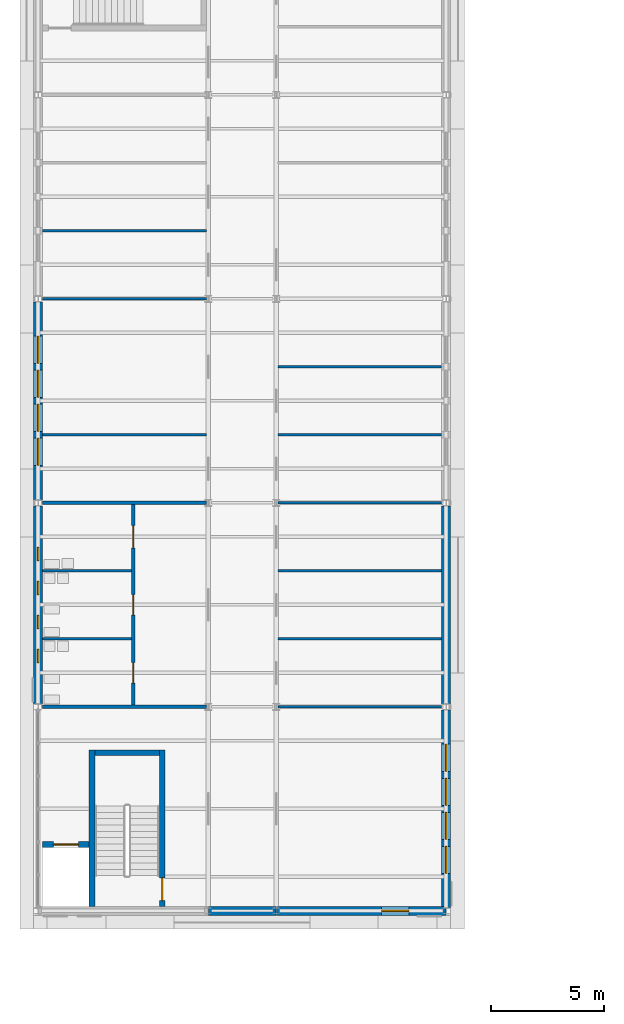
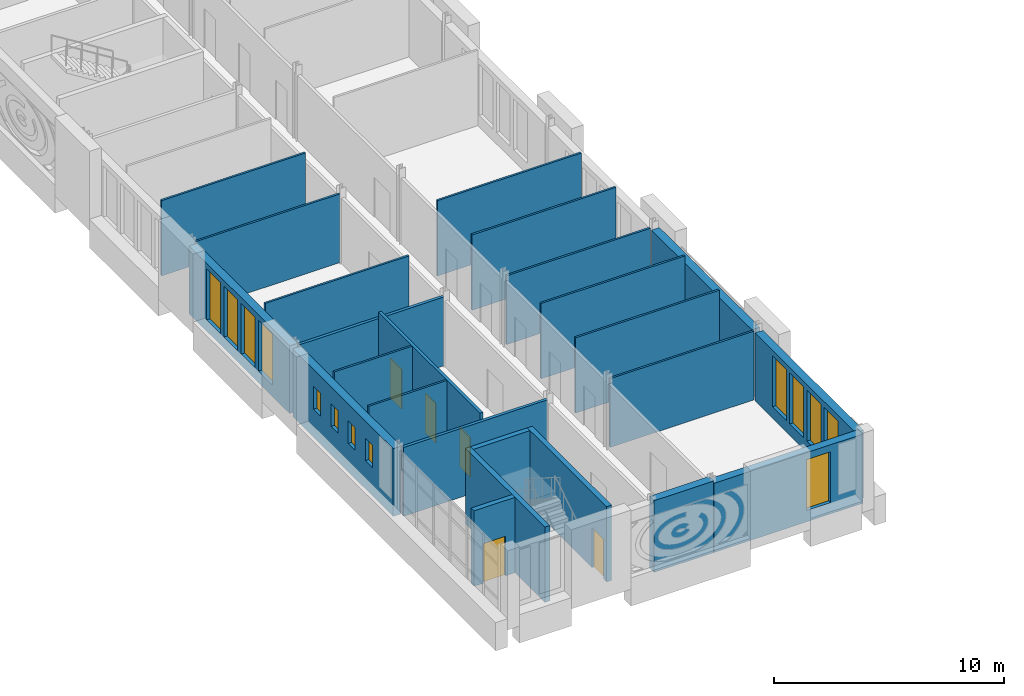
# One storey, part 99 of 154: 24 walls, 13 windows, 5 doors, 18 openings.
"""IFC4 building model written with IfcOpenShell, lengths in metres."""

from ifc_helpers import new_model, si_unit, direction, frame, frame_2d, origin, place, context, subcontext, project, spatial, rectangle, extrude, material, layer, layer_set, type_object, element, fill, save


model = new_model("IFC4")

# Units and contexts
model_context = context("Model", 3, precision=1e-05, world=origin(), true_north=direction((0.0, 1.0)))
body_context = subcontext(model_context, "Body", "Model", "MODEL_VIEW")
ifc_project = project(units=[si_unit("LENGTHUNIT", "METRE"), si_unit("AREAUNIT", "SQUARE_METRE"), si_unit("VOLUMEUNIT", "CUBIC_METRE"), si_unit("PLANEANGLEUNIT", "RADIAN"), si_unit("MASSUNIT", "GRAM", prefix="KILO")], contexts=[model_context])

# Site, building, storey
site_placement = place(None, origin())
site = spatial("IfcSite", under=ifc_project, at=site_placement, CompositionType="ELEMENT")
building_placement = place(site_placement, origin())
building = spatial("IfcBuilding", under=site, at=building_placement, Name="Golden Quay Civic Hall", CompositionType="ELEMENT")
storey_placement = place(building_placement, frame((0.0, 0.0, 14.39990234375)))
storey = spatial("IfcBuildingStorey", under=building, at=storey_placement, Name="L03", CompositionType="ELEMENT", Elevation=14.39990234375)

# Wall
ifc_material_1 = material(Name="Concrete C40/50", Category="concrete")
ifc_layer_1 = layer(ifc_material_1, 0.25)
ifc_layer_set_1 = layer_set([ifc_layer_1], Name="Concrete core wall 250, Concrete C40/50")
wall_type_1 = type_object("IfcWallType", Name="Concrete core wall 250", PredefinedType="SHEAR", material=ifc_layer_set_1)
wall_1_placement = place(storey_placement, frame((2.375, -8.800048828125, 0.0), z_axis=(0.0, 0.0, 1.0), x_axis=(0.0, 1.0, 0.0)))
element("IfcWall", 1, at=wall_1_placement, inside=storey, type_object=wall_type_1, Name="Core wall WO-S-W1", PredefinedType="SHEAR", context=body_context, shape_type="SweptSolid", body=[
    extrude(rectangle(XDim=6.900146484375, YDim=0.25, at=frame_2d((3.4501953125, 0.0))), origin(), (0.0, 0.0, 1.0), 4.0),
])

# Wall, opening, door
wall_2_placement = place(storey_placement, frame((5.47509765625, -8.800048828125, 0.0), z_axis=(0.0, 0.0, 1.0), x_axis=(0.0, 1.0, 0.0)))
wall_2 = element("IfcWall", 2, at=wall_2_placement, inside=storey, type_object=wall_type_1, Name="Core wall WO-S-W2", PredefinedType="SHEAR", context=body_context, shape_type="SweptSolid", body=[
    extrude(rectangle(XDim=6.900146484375, YDim=0.25, at=frame_2d((3.4501953125, 0.0))), origin(), (0.0, 0.0, 1.0), 4.0),
])
opening_1_placement = place(wall_2_placement, frame((0.25, 0.0, 0.0)))
opening_1 = element("IfcOpeningElement", 3, at=opening_1_placement, cuts=wall_2, Name="Opening L03-D037", PredefinedType="OPENING", context=body_context, shape_type="SweptSolid", body=[
    extrude(rectangle(XDim=1.0, YDim=2.10009765625, at=frame_2d((0.5, 1.050048828125))), frame((0.0, 0.135009765625, 0.0), z_axis=(0.0, -1.0, 0.0), x_axis=(1.0, 0.0, 0.0)), (0.0, 0.0, 1.0), 0.27001953125),
])
ifc_material_2 = material(Name="Steel", Category="steel")
door_type_1 = type_object("IfcDoorType", Name="Steel fire door FD60 1000 x 2100", OperationType="SINGLE_SWING_LEFT", PredefinedType="DOOR", material=ifc_material_2)
door_1_placement = place(opening_1_placement, origin())
door_1 = element("IfcDoor", 4, at=door_1_placement, inside=storey, type_object=door_type_1, Name="Door L03-D037", OperationType="SINGLE_SWING_LEFT", OverallHeight=2.10009765625, OverallWidth=1.0, PredefinedType="DOOR", context=body_context, shape_type="SweptSolid", body=[
    extrude(rectangle(XDim=1.0, YDim=2.10009765625, at=frame_2d((0.5, 1.050048828125))), frame((0.0, 0.02490234375, 0.0), z_axis=(0.0, -1.0, 0.0), x_axis=(1.0, 0.0, 0.0)), (0.0, 0.0, 1.0), 0.050048828125),
])
fill(opening_1, door_1)

# Wall
wall_3_placement = place(storey_placement, frame((2.5, -2.02490234375, 0.0), z_axis=(0.0, 0.0, 1.0), x_axis=(1.0, 0.0, 0.0)))
element("IfcWall", 5, at=wall_3_placement, inside=storey, type_object=wall_type_1, Name="Core wall WO-S-W3", PredefinedType="SHEAR", context=body_context, shape_type="SweptSolid", body=[
    extrude(rectangle(XDim=2.85009765625, YDim=0.25, at=frame_2d((1.425048828125, 0.0))), origin(), (0.0, 0.0, 1.0), 4.0),
])

# Wall, opening, door
wall_4_placement = place(storey_placement, frame((0.199951171875, -6.074951171875, 0.0), z_axis=(0.0, 0.0, 1.0), x_axis=(1.0, 0.0, 0.0)))
wall_4 = element("IfcWall", 6, at=wall_4_placement, inside=storey, type_object=wall_type_1, Name="Core wall WO-S-W4", PredefinedType="SHEAR", context=body_context, shape_type="SweptSolid", body=[
    extrude(rectangle(XDim=2.050048828125, YDim=0.25, at=frame_2d((1.02490234375, 0.0))), origin(), (0.0, 0.0, 1.0), 4.0),
])
opening_2_placement = place(wall_4_placement, frame((0.47509765625, 0.0, 0.0)))
opening_2 = element("IfcOpeningElement", 7, at=opening_2_placement, cuts=wall_4, Name="Opening L03-D053", PredefinedType="OPENING", context=body_context, shape_type="SweptSolid", body=[
    extrude(rectangle(XDim=1.10009765625, YDim=2.10009765625, at=frame_2d((0.550048828125, 1.050048828125))), frame((0.0, 0.135009765625, 0.0), z_axis=(0.0, -1.0, 0.0), x_axis=(1.0, 0.0, 0.0)), (0.0, 0.0, 1.0), 0.27001953125),
])
ifc_material_3 = material(Name="Steel", Category="steel")
door_type_2 = type_object("IfcDoorType", Name="Lift landing door 1100 x 2100", OperationType="SLIDING_TO_LEFT", PredefinedType="DOOR", material=ifc_material_3)
door_2_placement = place(opening_2_placement, origin())
door_2 = element("IfcDoor", 8, at=door_2_placement, inside=storey, type_object=door_type_2, Name="Lift landing door L03-D053 WO-S", OperationType="SLIDING_TO_LEFT", OverallHeight=2.10009765625, OverallWidth=1.10009765625, PredefinedType="DOOR", context=body_context, shape_type="SweptSolid", body=[
    extrude(rectangle(XDim=1.10009765625, YDim=2.10009765625, at=frame_2d((0.550048828125, 1.050048828125))), frame((0.0, 0.02490234375, 0.0), z_axis=(0.0, -1.0, 0.0), x_axis=(1.0, 0.0, 0.0)), (0.0, 0.0, 1.0), 0.050048828125),
])
fill(opening_2, door_2)

# Walls
ifc_material_4 = material(Name="Plasterboard on steel studs", Category="steel")
ifc_layer_2 = layer(ifc_material_4, 0.10009765625)
ifc_layer_set_2 = layer_set([ifc_layer_2], Name="Partition 100 stud")
wall_type_2 = type_object("IfcWallType", Name="Partition 100 stud", PredefinedType="PARTITIONING", material=ifc_layer_set_2)
wall_5_placement = place(storey_placement, frame((0.199951171875, 12.0, 0.0), z_axis=(0.0, 0.0, 1.0), x_axis=(1.0, 0.0, 0.0)))
element("IfcWall", 9, at=wall_5_placement, inside=storey, type_object=wall_type_2, Name="Partition L03-001", PredefinedType="PARTITIONING", context=body_context, shape_type="SweptSolid", body=[
    extrude(rectangle(XDim=7.22509765625, YDim=0.10009765625, at=frame_2d((3.612548828125, 0.0))), origin(), (0.0, 0.0, 1.0), 4.0),
])
wall_6_placement = place(storey_placement, frame((0.199951171875, 18.0, 0.0), z_axis=(0.0, 0.0, 1.0), x_axis=(1.0, 0.0, 0.0)))
element("IfcWall", 10, at=wall_6_placement, inside=storey, type_object=wall_type_2, Name="Partition L03-002", PredefinedType="PARTITIONING", context=body_context, shape_type="SweptSolid", body=[
    extrude(rectangle(XDim=7.22509765625, YDim=0.10009765625, at=frame_2d((3.612548828125, 0.0))), origin(), (0.0, 0.0, 1.0), 3.650146484375),
])
wall_7_placement = place(storey_placement, frame((0.199951171875, 21.0, 0.0), z_axis=(0.0, 0.0, 1.0), x_axis=(1.0, 0.0, 0.0)))
element("IfcWall", 11, at=wall_7_placement, inside=storey, type_object=wall_type_2, Name="Partition L03-003", PredefinedType="PARTITIONING", context=body_context, shape_type="SweptSolid", body=[
    extrude(rectangle(XDim=7.22509765625, YDim=0.10009765625, at=frame_2d((3.612548828125, 0.0))), origin(), (0.0, 0.0, 1.0), 4.0),
])
wall_8_placement = place(storey_placement, frame((10.574951171875, 0.0, 0.0), z_axis=(0.0, 0.0, 1.0), x_axis=(1.0, 0.0, 0.0)))
element("IfcWall", 12, at=wall_8_placement, inside=storey, type_object=wall_type_2, Name="Partition L03-012", PredefinedType="PARTITIONING", context=body_context, shape_type="SweptSolid", body=[
    extrude(rectangle(XDim=7.22509765625, YDim=0.10009765625, at=frame_2d((3.612548828125, 0.0))), origin(), (0.0, 0.0, 1.0), 3.650146484375),
])
for number, where, z_axis, x_axis, name in (
    (13, (10.574951171875, 3.0, 0.0), (0.0, 0.0, 1.0), (1.0, 0.0, 0.0), "Partition L03-013"),
    (14, (10.574951171875, 6.0, 0.0), (0.0, 0.0, 1.0), (1.0, 0.0, 0.0), "Partition L03-014"),
):
    element("IfcWall", number, at=place(storey_placement, frame(where, z_axis=z_axis, x_axis=x_axis)), inside=storey, type_object=wall_type_2, Name=name, PredefinedType="PARTITIONING", context=body_context, shape_type="SweptSolid", body=[
        extrude(rectangle(XDim=7.22509765625, YDim=0.10009765625, at=frame_2d((3.612548828125, 0.0))), origin(), (0.0, 0.0, 1.0), 4.0),
    ])
wall_9_placement = place(storey_placement, frame((10.574951171875, 9.0, 0.0), z_axis=(0.0, 0.0, 1.0), x_axis=(1.0, 0.0, 0.0)))
element("IfcWall", 15, at=wall_9_placement, inside=storey, type_object=wall_type_2, Name="Partition L03-015", PredefinedType="PARTITIONING", context=body_context, shape_type="SweptSolid", body=[
    extrude(rectangle(XDim=7.22509765625, YDim=0.10009765625, at=frame_2d((3.612548828125, 0.0))), origin(), (0.0, 0.0, 1.0), 3.650146484375),
])
for number, where, z_axis, x_axis, name in (
    (16, (10.574951171875, 12.0, 0.0), (0.0, 0.0, 1.0), (1.0, 0.0, 0.0), "Partition L03-016"),
    (17, (10.574951171875, 15.0, 0.0), (0.0, 0.0, 1.0), (1.0, 0.0, 0.0), "Partition L03-017"),
):
    element("IfcWall", number, at=place(storey_placement, frame(where, z_axis=z_axis, x_axis=x_axis)), inside=storey, type_object=wall_type_2, Name=name, PredefinedType="PARTITIONING", context=body_context, shape_type="SweptSolid", body=[
        extrude(rectangle(XDim=7.22509765625, YDim=0.10009765625, at=frame_2d((3.612548828125, 0.0))), origin(), (0.0, 0.0, 1.0), 4.0),
    ])
for number, where, z_axis, x_axis, name in (
    (18, (0.199951171875, 3.0, 0.0), (0.0, 0.0, 1.0), (1.0, 0.0, 0.0), "Partition L03-040"),
    (19, (0.199951171875, 6.0, 0.0), (0.0, 0.0, 1.0), (1.0, 0.0, 0.0), "Partition L03-041"),
):
    element("IfcWall", number, at=place(storey_placement, frame(where, z_axis=z_axis, x_axis=x_axis)), inside=storey, type_object=wall_type_2, Name=name, PredefinedType="PARTITIONING", context=body_context, shape_type="SweptSolid", body=[
        extrude(rectangle(XDim=3.925048828125, YDim=0.10009765625, at=frame_2d((1.96240234375, 0.0))), origin(), (0.0, 0.0, 1.0), 4.0),
    ])
ifc_material_5 = material(Name="Plasterboard on steel studs", Category="steel")
ifc_layer_3 = layer(ifc_material_5, 0.14990234375)
ifc_layer_set_3 = layer_set([ifc_layer_3], Name="Partition 150 stud fire EI 60")
wall_type_3 = type_object("IfcWallType", Name="Partition 150 stud fire EI 60", PredefinedType="PARTITIONING", material=ifc_layer_set_3)
for number, where, z_axis, x_axis, name in (
    (20, (0.199951171875, 9.0, 0.0), (0.0, 0.0, 1.0), (1.0, 0.0, 0.0), "Partition L03-000"),
    (21, (0.199951171875, 0.0, 0.0), (0.0, 0.0, 1.0), (1.0, 0.0, 0.0), "Partition L03-029"),
):
    element("IfcWall", number, at=place(storey_placement, frame(where, z_axis=z_axis, x_axis=x_axis)), inside=storey, type_object=wall_type_3, Name=name, PredefinedType="PARTITIONING", context=body_context, shape_type="SweptSolid", body=[
        extrude(rectangle(XDim=7.22509765625, YDim=0.14990234375, at=frame_2d((3.612548828125, 0.0))), origin(), (0.0, 0.0, 1.0), 3.650146484375),
    ])

# Wall, openings, doors
wall_10_placement = place(storey_placement, frame((4.199951171875, 0.074951171875, 0.0), z_axis=(0.0, 0.0, 1.0), x_axis=(0.0, 1.0, 0.0)))
wall_10 = element("IfcWall", 22, at=wall_10_placement, inside=storey, type_object=wall_type_3, Name="Partition L03-039", PredefinedType="PARTITIONING", context=body_context, shape_type="SweptSolid", body=[
    extrude(rectangle(XDim=8.85009765625, YDim=0.14990234375, at=frame_2d((4.425048828125, 0.0))), origin(), (0.0, 0.0, 1.0), 4.0),
])
opening_3_placement = place(wall_10_placement, frame((0.97509765625, 0.0, 0.0)))
opening_3 = element("IfcOpeningElement", 23, at=opening_3_placement, cuts=wall_10, Name="Opening L03-D034", PredefinedType="OPENING", context=body_context, shape_type="SweptSolid", body=[
    extrude(rectangle(XDim=0.89990234375, YDim=2.10009765625, at=frame_2d((0.449951171875, 1.050048828125))), frame((0.0, 0.0849609375, 0.0), z_axis=(0.0, -1.0, 0.0), x_axis=(1.0, 0.0, 0.0)), (0.0, 0.0, 1.0), 0.169921875),
])
opening_4_placement = place(wall_10_placement, frame((3.97509765625, 0.0, 0.0)))
opening_4 = element("IfcOpeningElement", 24, at=opening_4_placement, cuts=wall_10, Name="Opening L03-D035", PredefinedType="OPENING", context=body_context, shape_type="SweptSolid", body=[
    extrude(rectangle(XDim=0.89990234375, YDim=2.10009765625, at=frame_2d((0.449951171875, 1.050048828125))), frame((0.0, 0.0849609375, 0.0), z_axis=(0.0, -1.0, 0.0), x_axis=(1.0, 0.0, 0.0)), (0.0, 0.0, 1.0), 0.169921875),
])
opening_5_placement = place(wall_10_placement, frame((6.925048828125, 0.0, 0.0)))
opening_5 = element("IfcOpeningElement", 25, at=opening_5_placement, cuts=wall_10, Name="Opening L03-D036", PredefinedType="OPENING", context=body_context, shape_type="SweptSolid", body=[
    extrude(rectangle(XDim=1.0, YDim=2.10009765625, at=frame_2d((0.5, 1.050048828125))), frame((0.0, 0.0849609375, 0.0), z_axis=(0.0, -1.0, 0.0), x_axis=(1.0, 0.0, 0.0)), (0.0, 0.0, 1.0), 0.169921875),
])
ifc_material_6 = material(Name="Timber", Category="wood")
door_type_3 = type_object("IfcDoorType", Name="Timber door 1000 x 2100", OperationType="SINGLE_SWING_LEFT", PredefinedType="DOOR", material=ifc_material_6)
door_3_placement = place(opening_5_placement, origin())
door_3 = element("IfcDoor", 26, at=door_3_placement, inside=storey, type_object=door_type_3, Name="Door L03-D036", OperationType="SINGLE_SWING_LEFT", OverallHeight=2.10009765625, OverallWidth=1.0, PredefinedType="DOOR", context=body_context, shape_type="SweptSolid", body=[
    extrude(rectangle(XDim=1.0, YDim=2.10009765625, at=frame_2d((0.5, 1.050048828125))), frame((0.0, 0.02490234375, 0.0), z_axis=(0.0, -1.0, 0.0), x_axis=(1.0, 0.0, 0.0)), (0.0, 0.0, 1.0), 0.050048828125),
])
fill(opening_5, door_3)
ifc_material_7 = material(Name="Timber", Category="wood")
door_type_4 = type_object("IfcDoorType", Name="Timber door 900 x 2100", OperationType="SINGLE_SWING_LEFT", PredefinedType="DOOR", material=ifc_material_7)
door_4_placement = place(opening_3_placement, origin())
door_4 = element("IfcDoor", 27, at=door_4_placement, inside=storey, type_object=door_type_4, Name="Door L03-D034", OperationType="SINGLE_SWING_LEFT", OverallHeight=2.10009765625, OverallWidth=0.89990234375, PredefinedType="DOOR", context=body_context, shape_type="SweptSolid", body=[
    extrude(rectangle(XDim=0.89990234375, YDim=2.10009765625, at=frame_2d((0.449951171875, 1.050048828125))), frame((0.0, 0.02490234375, 0.0), z_axis=(0.0, -1.0, 0.0), x_axis=(1.0, 0.0, 0.0)), (0.0, 0.0, 1.0), 0.050048828125),
])
fill(opening_3, door_4)
door_5_placement = place(opening_4_placement, origin())
door_5 = element("IfcDoor", 28, at=door_5_placement, inside=storey, type_object=door_type_4, Name="Door L03-D035", OperationType="SINGLE_SWING_LEFT", OverallHeight=2.10009765625, OverallWidth=0.89990234375, PredefinedType="DOOR", context=body_context, shape_type="SweptSolid", body=[
    extrude(rectangle(XDim=0.89990234375, YDim=2.10009765625, at=frame_2d((0.449951171875, 1.050048828125))), frame((0.0, 0.02490234375, 0.0), z_axis=(0.0, -1.0, 0.0), x_axis=(1.0, 0.0, 0.0)), (0.0, 0.0, 1.0), 0.050048828125),
])
fill(opening_4, door_5)

# Wall, openings, windows
ifc_material_8 = material(Name="Clay block, rendered, cream")
ifc_layer_4 = layer(ifc_material_8, 0.39990234375)
ifc_layer_set_4 = layer_set([ifc_layer_4], Name="Rendered block external wall 400")
wall_type_4 = type_object("IfcWallType", Name="Rendered block external wall 400", PredefinedType="STANDARD", material=ifc_layer_set_4)
wall_11_placement = place(storey_placement, frame((0.0, 0.135009765625, 0.0), z_axis=(0.0, 0.0, 1.0), x_axis=(0.0, 1.0, 0.0)))
wall_11 = element("IfcWall", 29, at=wall_11_placement, inside=storey, type_object=wall_type_4, Name="Rendered block external wall 400 L03 1", PredefinedType="STANDARD", context=body_context, shape_type="SweptSolid", body=[
    extrude(rectangle(XDim=8.72998046875, YDim=0.39990234375, at=frame_2d((4.364990234375, 0.0))), origin(), (0.0, 0.0, 1.0), 3.60009765625),
])
opening_6_placement = place(wall_11_placement, frame((1.81494140625, 0.0, 1.5)))
opening_6 = element("IfcOpeningElement", 30, at=opening_6_placement, cuts=wall_11, Name="Opening WN1", PredefinedType="OPENING", context=body_context, shape_type="SweptSolid", body=[
    extrude(rectangle(XDim=0.60009765625, YDim=1.199951171875, at=frame_2d((0.300048828125, 0.60009765625))), frame((0.0, 0.2099609375, 0.0), z_axis=(0.0, -1.0, 0.0), x_axis=(1.0, 0.0, 0.0)), (0.0, 0.0, 1.0), 0.419921875),
])
opening_7_placement = place(wall_11_placement, frame((3.31494140625, 0.0, 1.5)))
opening_7 = element("IfcOpeningElement", 31, at=opening_7_placement, cuts=wall_11, Name="Opening WN1", PredefinedType="OPENING", context=body_context, shape_type="SweptSolid", body=[
    extrude(rectangle(XDim=0.60009765625, YDim=1.199951171875, at=frame_2d((0.300048828125, 0.60009765625))), frame((0.0, 0.2099609375, 0.0), z_axis=(0.0, -1.0, 0.0), x_axis=(1.0, 0.0, 0.0)), (0.0, 0.0, 1.0), 0.419921875),
])
opening_8_placement = place(wall_11_placement, frame((4.81494140625, 0.0, 1.5)))
opening_8 = element("IfcOpeningElement", 32, at=opening_8_placement, cuts=wall_11, Name="Opening WN1", PredefinedType="OPENING", context=body_context, shape_type="SweptSolid", body=[
    extrude(rectangle(XDim=0.60009765625, YDim=1.199951171875, at=frame_2d((0.300048828125, 0.60009765625))), frame((0.0, 0.2099609375, 0.0), z_axis=(0.0, -1.0, 0.0), x_axis=(1.0, 0.0, 0.0)), (0.0, 0.0, 1.0), 0.419921875),
])
opening_9_placement = place(wall_11_placement, frame((6.31494140625, 0.0, 1.5)))
opening_9 = element("IfcOpeningElement", 33, at=opening_9_placement, cuts=wall_11, Name="Opening WN1", PredefinedType="OPENING", context=body_context, shape_type="SweptSolid", body=[
    extrude(rectangle(XDim=0.60009765625, YDim=1.199951171875, at=frame_2d((0.300048828125, 0.60009765625))), frame((0.0, 0.2099609375, 0.0), z_axis=(0.0, -1.0, 0.0), x_axis=(1.0, 0.0, 0.0)), (0.0, 0.0, 1.0), 0.419921875),
])
ifc_material_9 = material(Name="Aluminium frame, double glazed", Category="aluminium")
window_type_1 = type_object("IfcWindowType", Name="WC window 600 x 1200", PartitioningType="SINGLE_PANEL", PredefinedType="WINDOW", material=ifc_material_9)
window_1_placement = place(opening_6_placement, origin())
window_1 = element("IfcWindow", 34, at=window_1_placement, inside=storey, type_object=window_type_1, Name="WC window 600 x 1200 L03 1", OverallHeight=1.199951171875, OverallWidth=0.60009765625, PartitioningType="SINGLE_PANEL", PredefinedType="WINDOW", context=body_context, shape_type="SweptSolid", body=[
    extrude(rectangle(XDim=0.60009765625, YDim=1.199951171875, at=frame_2d((0.300048828125, 0.60009765625))), frame((0.0, 0.030029296875, 0.0), z_axis=(0.0, -1.0, 0.0), x_axis=(1.0, 0.0, 0.0)), (0.0, 0.0, 1.0), 0.06005859375),
])
fill(opening_6, window_1)
window_2_placement = place(opening_7_placement, origin())
window_2 = element("IfcWindow", 35, at=window_2_placement, inside=storey, type_object=window_type_1, Name="WC window 600 x 1200 L03 2", OverallHeight=1.199951171875, OverallWidth=0.60009765625, PartitioningType="SINGLE_PANEL", PredefinedType="WINDOW", context=body_context, shape_type="SweptSolid", body=[
    extrude(rectangle(XDim=0.60009765625, YDim=1.199951171875, at=frame_2d((0.300048828125, 0.60009765625))), frame((0.0, 0.030029296875, 0.0), z_axis=(0.0, -1.0, 0.0), x_axis=(1.0, 0.0, 0.0)), (0.0, 0.0, 1.0), 0.06005859375),
])
fill(opening_7, window_2)
window_3_placement = place(opening_8_placement, origin())
window_3 = element("IfcWindow", 36, at=window_3_placement, inside=storey, type_object=window_type_1, Name="WC window 600 x 1200 L03 3", OverallHeight=1.199951171875, OverallWidth=0.60009765625, PartitioningType="SINGLE_PANEL", PredefinedType="WINDOW", context=body_context, shape_type="SweptSolid", body=[
    extrude(rectangle(XDim=0.60009765625, YDim=1.199951171875, at=frame_2d((0.300048828125, 0.60009765625))), frame((0.0, 0.030029296875, 0.0), z_axis=(0.0, -1.0, 0.0), x_axis=(1.0, 0.0, 0.0)), (0.0, 0.0, 1.0), 0.06005859375),
])
fill(opening_8, window_3)
window_4_placement = place(opening_9_placement, origin())
window_4 = element("IfcWindow", 37, at=window_4_placement, inside=storey, type_object=window_type_1, Name="WC window 600 x 1200 L03 4", OverallHeight=1.199951171875, OverallWidth=0.60009765625, PartitioningType="SINGLE_PANEL", PredefinedType="WINDOW", context=body_context, shape_type="SweptSolid", body=[
    extrude(rectangle(XDim=0.60009765625, YDim=1.199951171875, at=frame_2d((0.300048828125, 0.60009765625))), frame((0.0, 0.030029296875, 0.0), z_axis=(0.0, -1.0, 0.0), x_axis=(1.0, 0.0, 0.0)), (0.0, 0.0, 1.0), 0.06005859375),
])
fill(opening_9, window_4)

wall_12_placement = place(storey_placement, frame((0.0, 9.135009765625, 0.0), z_axis=(0.0, 0.0, 1.0), x_axis=(0.0, 1.0, 0.0)))
wall_12 = element("IfcWall", 38, at=wall_12_placement, inside=storey, type_object=wall_type_4, Name="Rendered block external wall 400 L03 2", PredefinedType="STANDARD", context=body_context, shape_type="SweptSolid", body=[
    extrude(rectangle(XDim=8.72998046875, YDim=0.39990234375, at=frame_2d((4.364990234375, 0.0))), origin(), (0.0, 0.0, 1.0), 3.60009765625),
])
opening_10_placement = place(wall_12_placement, frame((1.514892578125, 0.0, 0.60009765625)))
opening_10 = element("IfcOpeningElement", 39, at=opening_10_placement, cuts=wall_12, Name="Opening WN8", PredefinedType="OPENING", context=body_context, shape_type="SweptSolid", body=[
    extrude(rectangle(XDim=1.199951171875, YDim=2.699951171875, at=frame_2d((0.60009765625, 1.35009765625))), frame((0.0, 0.2099609375, 0.0), z_axis=(0.0, -1.0, 0.0), x_axis=(1.0, 0.0, 0.0)), (0.0, 0.0, 1.0), 0.419921875),
])
opening_11_placement = place(wall_12_placement, frame((3.014892578125, 0.0, 0.60009765625)))
opening_11 = element("IfcOpeningElement", 40, at=opening_11_placement, cuts=wall_12, Name="Opening WN8", PredefinedType="OPENING", context=body_context, shape_type="SweptSolid", body=[
    extrude(rectangle(XDim=1.199951171875, YDim=2.699951171875, at=frame_2d((0.60009765625, 1.35009765625))), frame((0.0, 0.2099609375, 0.0), z_axis=(0.0, -1.0, 0.0), x_axis=(1.0, 0.0, 0.0)), (0.0, 0.0, 1.0), 0.419921875),
])
opening_12_placement = place(wall_12_placement, frame((4.514892578125, 0.0, 0.60009765625)))
opening_12 = element("IfcOpeningElement", 41, at=opening_12_placement, cuts=wall_12, Name="Opening WN8", PredefinedType="OPENING", context=body_context, shape_type="SweptSolid", body=[
    extrude(rectangle(XDim=1.199951171875, YDim=2.699951171875, at=frame_2d((0.60009765625, 1.35009765625))), frame((0.0, 0.2099609375, 0.0), z_axis=(0.0, -1.0, 0.0), x_axis=(1.0, 0.0, 0.0)), (0.0, 0.0, 1.0), 0.419921875),
])
opening_13_placement = place(wall_12_placement, frame((6.014892578125, 0.0, 0.60009765625)))
opening_13 = element("IfcOpeningElement", 42, at=opening_13_placement, cuts=wall_12, Name="Opening WN8", PredefinedType="OPENING", context=body_context, shape_type="SweptSolid", body=[
    extrude(rectangle(XDim=1.199951171875, YDim=2.699951171875, at=frame_2d((0.60009765625, 1.35009765625))), frame((0.0, 0.2099609375, 0.0), z_axis=(0.0, -1.0, 0.0), x_axis=(1.0, 0.0, 0.0)), (0.0, 0.0, 1.0), 0.419921875),
])
ifc_material_10 = material(Name="Aluminium frame, double glazed", Category="aluminium")
window_type_2 = type_object("IfcWindowType", Name="Golden grid window 1200 x 2700", PartitioningType="SINGLE_PANEL", PredefinedType="WINDOW", material=ifc_material_10)
window_5_placement = place(opening_10_placement, origin())
window_5 = element("IfcWindow", 43, at=window_5_placement, inside=storey, type_object=window_type_2, Name="Golden grid window 1200 x 2700 L03 1", OverallHeight=2.699951171875, OverallWidth=1.199951171875, PartitioningType="SINGLE_PANEL", PredefinedType="WINDOW", context=body_context, shape_type="SweptSolid", body=[
    extrude(rectangle(XDim=1.199951171875, YDim=2.699951171875, at=frame_2d((0.60009765625, 1.35009765625))), frame((0.0, 0.030029296875, 0.0), z_axis=(0.0, -1.0, 0.0), x_axis=(1.0, 0.0, 0.0)), (0.0, 0.0, 1.0), 0.06005859375),
])
fill(opening_10, window_5)
window_6_placement = place(opening_11_placement, origin())
window_6 = element("IfcWindow", 44, at=window_6_placement, inside=storey, type_object=window_type_2, Name="Golden grid window 1200 x 2700 L03 2", OverallHeight=2.699951171875, OverallWidth=1.199951171875, PartitioningType="SINGLE_PANEL", PredefinedType="WINDOW", context=body_context, shape_type="SweptSolid", body=[
    extrude(rectangle(XDim=1.199951171875, YDim=2.699951171875, at=frame_2d((0.60009765625, 1.35009765625))), frame((0.0, 0.030029296875, 0.0), z_axis=(0.0, -1.0, 0.0), x_axis=(1.0, 0.0, 0.0)), (0.0, 0.0, 1.0), 0.06005859375),
])
fill(opening_11, window_6)
window_7_placement = place(opening_12_placement, origin())
window_7 = element("IfcWindow", 45, at=window_7_placement, inside=storey, type_object=window_type_2, Name="Golden grid window 1200 x 2700 L03 3", OverallHeight=2.699951171875, OverallWidth=1.199951171875, PartitioningType="SINGLE_PANEL", PredefinedType="WINDOW", context=body_context, shape_type="SweptSolid", body=[
    extrude(rectangle(XDim=1.199951171875, YDim=2.699951171875, at=frame_2d((0.60009765625, 1.35009765625))), frame((0.0, 0.030029296875, 0.0), z_axis=(0.0, -1.0, 0.0), x_axis=(1.0, 0.0, 0.0)), (0.0, 0.0, 1.0), 0.06005859375),
])
fill(opening_12, window_7)
window_8_placement = place(opening_13_placement, origin())
window_8 = element("IfcWindow", 46, at=window_8_placement, inside=storey, type_object=window_type_2, Name="Golden grid window 1200 x 2700 L03 4", OverallHeight=2.699951171875, OverallWidth=1.199951171875, PartitioningType="SINGLE_PANEL", PredefinedType="WINDOW", context=body_context, shape_type="SweptSolid", body=[
    extrude(rectangle(XDim=1.199951171875, YDim=2.699951171875, at=frame_2d((0.60009765625, 1.35009765625))), frame((0.0, 0.030029296875, 0.0), z_axis=(0.0, -1.0, 0.0), x_axis=(1.0, 0.0, 0.0)), (0.0, 0.0, 1.0), 0.06005859375),
])
fill(opening_13, window_8)

wall_13_placement = place(storey_placement, frame((18.0, -0.135009765625, 0.0), z_axis=(0.0, 0.0, 1.0), x_axis=(0.0, -1.0, 0.0)))
wall_13 = element("IfcWall", 47, at=wall_13_placement, inside=storey, type_object=wall_type_4, Name="Rendered block external wall 400 L03 12", PredefinedType="STANDARD", context=body_context, shape_type="SweptSolid", body=[
    extrude(rectangle(XDim=8.72998046875, YDim=0.39990234375, at=frame_2d((4.364990234375, 0.0))), origin(), (0.0, 0.0, 1.0), 3.60009765625),
])
opening_14_placement = place(wall_13_placement, frame((6.014892578125, 0.0, 0.60009765625)))
opening_14 = element("IfcOpeningElement", 48, at=opening_14_placement, cuts=wall_13, Name="Opening WN8", PredefinedType="OPENING", context=body_context, shape_type="SweptSolid", body=[
    extrude(rectangle(XDim=1.199951171875, YDim=2.699951171875, at=frame_2d((0.60009765625, 1.35009765625))), frame((0.0, 0.2099609375, 0.0), z_axis=(0.0, -1.0, 0.0), x_axis=(1.0, 0.0, 0.0)), (0.0, 0.0, 1.0), 0.419921875),
])
opening_15_placement = place(wall_13_placement, frame((4.514892578125, 0.0, 0.60009765625)))
opening_15 = element("IfcOpeningElement", 49, at=opening_15_placement, cuts=wall_13, Name="Opening WN8", PredefinedType="OPENING", context=body_context, shape_type="SweptSolid", body=[
    extrude(rectangle(XDim=1.199951171875, YDim=2.699951171875, at=frame_2d((0.60009765625, 1.35009765625))), frame((0.0, 0.2099609375, 0.0), z_axis=(0.0, -1.0, 0.0), x_axis=(1.0, 0.0, 0.0)), (0.0, 0.0, 1.0), 0.419921875),
])
opening_16_placement = place(wall_13_placement, frame((3.014892578125, 0.0, 0.60009765625)))
opening_16 = element("IfcOpeningElement", 50, at=opening_16_placement, cuts=wall_13, Name="Opening WN8", PredefinedType="OPENING", context=body_context, shape_type="SweptSolid", body=[
    extrude(rectangle(XDim=1.199951171875, YDim=2.699951171875, at=frame_2d((0.60009765625, 1.35009765625))), frame((0.0, 0.2099609375, 0.0), z_axis=(0.0, -1.0, 0.0), x_axis=(1.0, 0.0, 0.0)), (0.0, 0.0, 1.0), 0.419921875),
])
opening_17_placement = place(wall_13_placement, frame((1.514892578125, 0.0, 0.60009765625)))
opening_17 = element("IfcOpeningElement", 51, at=opening_17_placement, cuts=wall_13, Name="Opening WN8", PredefinedType="OPENING", context=body_context, shape_type="SweptSolid", body=[
    extrude(rectangle(XDim=1.199951171875, YDim=2.699951171875, at=frame_2d((0.60009765625, 1.35009765625))), frame((0.0, 0.2099609375, 0.0), z_axis=(0.0, -1.0, 0.0), x_axis=(1.0, 0.0, 0.0)), (0.0, 0.0, 1.0), 0.419921875),
])
window_9_placement = place(opening_14_placement, origin())
window_9 = element("IfcWindow", 52, at=window_9_placement, inside=storey, type_object=window_type_2, Name="Golden grid window 1200 x 2700 L03 25", OverallHeight=2.699951171875, OverallWidth=1.199951171875, PartitioningType="SINGLE_PANEL", PredefinedType="WINDOW", context=body_context, shape_type="SweptSolid", body=[
    extrude(rectangle(XDim=1.199951171875, YDim=2.699951171875, at=frame_2d((0.60009765625, 1.35009765625))), frame((0.0, 0.030029296875, 0.0), z_axis=(0.0, -1.0, 0.0), x_axis=(1.0, 0.0, 0.0)), (0.0, 0.0, 1.0), 0.06005859375),
])
fill(opening_14, window_9)
window_10_placement = place(opening_15_placement, origin())
window_10 = element("IfcWindow", 53, at=window_10_placement, inside=storey, type_object=window_type_2, Name="Golden grid window 1200 x 2700 L03 26", OverallHeight=2.699951171875, OverallWidth=1.199951171875, PartitioningType="SINGLE_PANEL", PredefinedType="WINDOW", context=body_context, shape_type="SweptSolid", body=[
    extrude(rectangle(XDim=1.199951171875, YDim=2.699951171875, at=frame_2d((0.60009765625, 1.35009765625))), frame((0.0, 0.030029296875, 0.0), z_axis=(0.0, -1.0, 0.0), x_axis=(1.0, 0.0, 0.0)), (0.0, 0.0, 1.0), 0.06005859375),
])
fill(opening_15, window_10)
window_11_placement = place(opening_16_placement, origin())
window_11 = element("IfcWindow", 54, at=window_11_placement, inside=storey, type_object=window_type_2, Name="Golden grid window 1200 x 2700 L03 27", OverallHeight=2.699951171875, OverallWidth=1.199951171875, PartitioningType="SINGLE_PANEL", PredefinedType="WINDOW", context=body_context, shape_type="SweptSolid", body=[
    extrude(rectangle(XDim=1.199951171875, YDim=2.699951171875, at=frame_2d((0.60009765625, 1.35009765625))), frame((0.0, 0.030029296875, 0.0), z_axis=(0.0, -1.0, 0.0), x_axis=(1.0, 0.0, 0.0)), (0.0, 0.0, 1.0), 0.06005859375),
])
fill(opening_16, window_11)
window_12_placement = place(opening_17_placement, origin())
window_12 = element("IfcWindow", 55, at=window_12_placement, inside=storey, type_object=window_type_2, Name="Golden grid window 1200 x 2700 L03 28", OverallHeight=2.699951171875, OverallWidth=1.199951171875, PartitioningType="SINGLE_PANEL", PredefinedType="WINDOW", context=body_context, shape_type="SweptSolid", body=[
    extrude(rectangle(XDim=1.199951171875, YDim=2.699951171875, at=frame_2d((0.60009765625, 1.35009765625))), frame((0.0, 0.030029296875, 0.0), z_axis=(0.0, -1.0, 0.0), x_axis=(1.0, 0.0, 0.0)), (0.0, 0.0, 1.0), 0.06005859375),
])
fill(opening_17, window_12)

# Walls
wall_14_placement = place(storey_placement, frame((18.0, 8.864990234375, 0.0), z_axis=(0.0, 0.0, 1.0), x_axis=(0.0, -1.0, 0.0)))
element("IfcWall", 56, at=wall_14_placement, inside=storey, type_object=wall_type_4, Name="Rendered block external wall 400 L03 13", PredefinedType="STANDARD", context=body_context, shape_type="SweptSolid", body=[
    extrude(rectangle(XDim=8.72998046875, YDim=0.39990234375, at=frame_2d((4.364990234375, 0.0))), origin(), (0.0, 0.0, 1.0), 3.60009765625),
])
wall_15_placement = place(storey_placement, frame((10.490966796875, -9.0, 0.0), z_axis=(0.0, 0.0, 1.0), x_axis=(-1.0, 0.0, 0.0)))
element("IfcWall", 57, at=wall_15_placement, inside=storey, type_object=wall_type_4, Name="Rendered block external wall 400 L03 19", PredefinedType="STANDARD", context=body_context, shape_type="SweptSolid", body=[
    extrude(rectangle(XDim=2.98193359375, YDim=0.39990234375, at=frame_2d((1.490966796875, 0.0))), origin(), (0.0, 0.0, 1.0), 3.800048828125),
])

# Wall, opening, window
wall_16_placement = place(storey_placement, frame((17.990966796875, -9.0, 0.0), z_axis=(0.0, 0.0, 1.0), x_axis=(-1.0, 0.0, 0.0)))
wall_16 = element("IfcWall", 58, at=wall_16_placement, inside=storey, type_object=wall_type_4, Name="Rendered block external wall 400 L03 20", PredefinedType="STANDARD", context=body_context, shape_type="SweptSolid", body=[
    extrude(rectangle(XDim=7.48193359375, YDim=0.39990234375, at=frame_2d((3.740966796875, 0.0))), origin(), (0.0, 0.0, 1.0), 3.670166015625),
])
opening_18_placement = place(wall_16_placement, frame((1.64111328125, 0.0, 0.60009765625)))
opening_18 = element("IfcOpeningElement", 59, at=opening_18_placement, cuts=wall_16, Name="Opening WN8", PredefinedType="OPENING", context=body_context, shape_type="SweptSolid", body=[
    extrude(rectangle(XDim=1.199951171875, YDim=2.699951171875, at=frame_2d((0.60009765625, 1.35009765625))), frame((0.0, 0.2099609375, 0.0), z_axis=(0.0, -1.0, 0.0), x_axis=(1.0, 0.0, 0.0)), (0.0, 0.0, 1.0), 0.419921875),
])
window_13_placement = place(opening_18_placement, origin())
window_13 = element("IfcWindow", 60, at=window_13_placement, inside=storey, type_object=window_type_2, Name="Golden grid window 1200 x 2700 L03 45", OverallHeight=2.699951171875, OverallWidth=1.199951171875, PartitioningType="SINGLE_PANEL", PredefinedType="WINDOW", context=body_context, shape_type="SweptSolid", body=[
    extrude(rectangle(XDim=1.199951171875, YDim=2.699951171875, at=frame_2d((0.60009765625, 1.35009765625))), frame((0.0, 0.030029296875, 0.0), z_axis=(0.0, -1.0, 0.0), x_axis=(1.0, 0.0, 0.0)), (0.0, 0.0, 1.0), 0.06005859375),
])
fill(opening_18, window_13)

save(model, "model.ifc")
